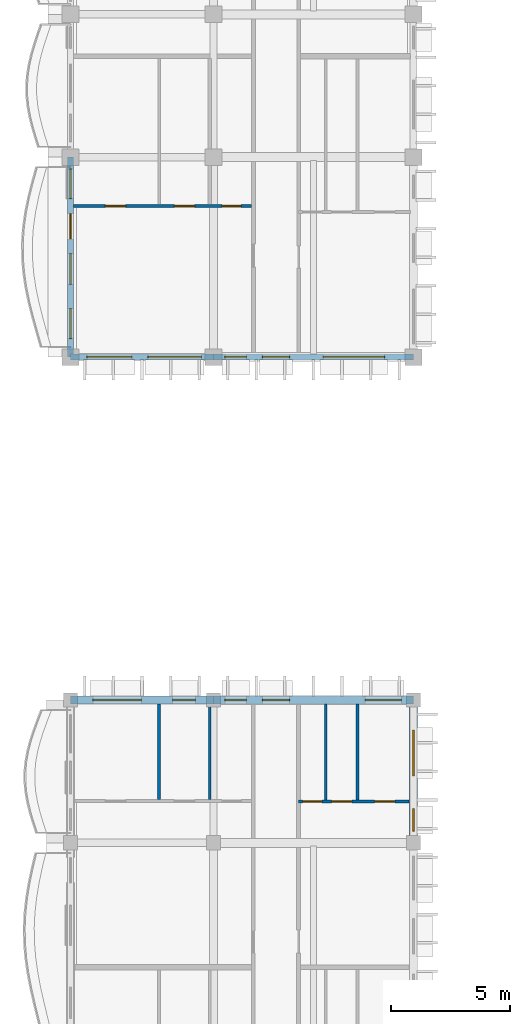
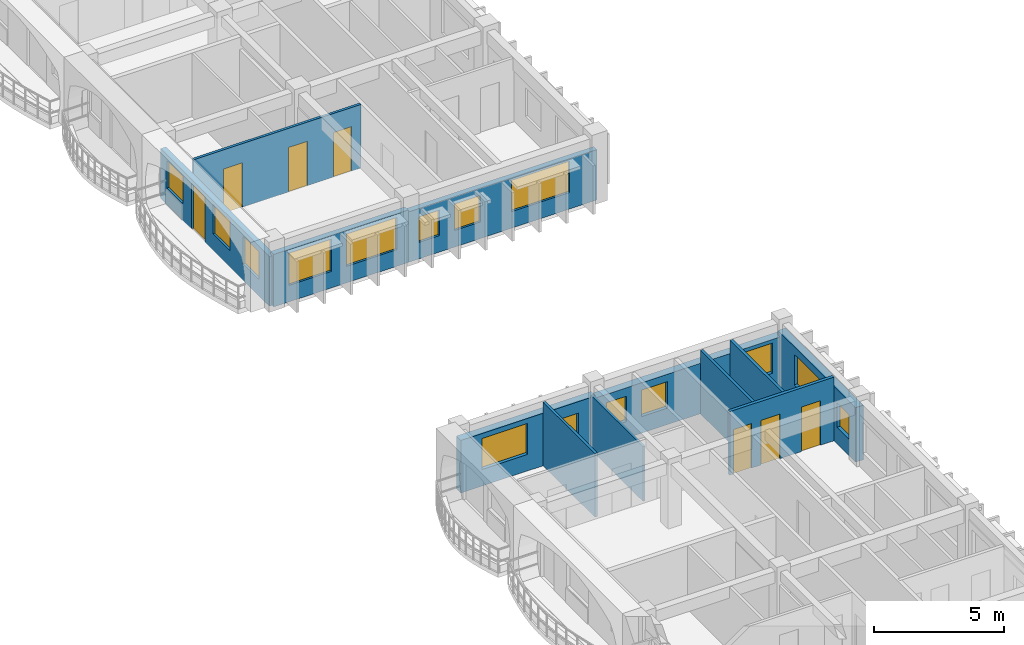
# One storey, part 47 of 101: 15 windows, 12 walls, 7 doors, 22 openings.
"""IFC4 building model written with IfcOpenShell, lengths in metres."""

from ifc_helpers import new_model, si_unit, direction, frame, frame_2d, origin, place, context, subcontext, project, spatial, rectangle, extrude, material, layer, layer_set, type_object, element, fill, save


model = new_model("IFC4")

# Units and contexts
model_context = context("Model", 3, precision=1e-05, world=origin(), true_north=direction((0.0, 1.0)))
body_context = subcontext(model_context, "Body", "Model", "MODEL_VIEW")
ifc_project = project(units=[si_unit("LENGTHUNIT", "METRE"), si_unit("AREAUNIT", "SQUARE_METRE"), si_unit("VOLUMEUNIT", "CUBIC_METRE"), si_unit("PLANEANGLEUNIT", "RADIAN"), si_unit("MASSUNIT", "GRAM", prefix="KILO"), si_unit("THERMODYNAMICTEMPERATUREUNIT", "KELVIN")], contexts=[model_context])

# Site, building, storey
site_placement = place(None, origin())
site = spatial("IfcSite", under=ifc_project, at=site_placement, CompositionType="ELEMENT")
building_placement = place(site_placement, origin())
building = spatial("IfcBuilding", under=site, at=building_placement, Name="Thalorik Housing Commons", CompositionType="ELEMENT")
storey_placement = place(building_placement, frame((0.0, 0.0, 8.10009765625)))
storey = spatial("IfcBuildingStorey", under=building, at=storey_placement, Name="L02", CompositionType="ELEMENT", Elevation=8.10009765625)

# Wall, openings, door, windows
ifc_material_1 = material(Name="White precast concrete C40/50", Category="concrete")
ifc_layer_1 = layer(ifc_material_1, 0.2451171875, Name="White precast concrete C40/50", Category="concrete")
ifc_layer_set_1 = layer_set([ifc_layer_1], Name="White precast concrete C40/50")
wall_type_1 = type_object("IfcWallType", Name="ARC-WAL-EXT-245", PredefinedType="STANDARD", material=ifc_layer_set_1)
wall_1_placement = place(storey_placement, frame((8.39990234375, 80.39990234375, 0.0), z_axis=(0.0, 0.0, 1.0), x_axis=(0.0, -1.0, 0.0)))
wall_1 = element("IfcWall", 1, at=wall_1_placement, inside=storey, type_object=wall_type_1, Name="L02 Exterior Wall WAL-EXT-L02-A-0077", PredefinedType="STANDARD", context=body_context, shape_type="SweptSolid", body=[
    extrude(rectangle(XDim=8.39990234375, YDim=0.2451171875, at=frame_2d((4.199951171875, 0.0))), origin(), (0.0, 0.0, 1.0), 2.344970703125),
])
opening_1_placement = place(wall_1_placement, frame((2.3798828125, 0.0, 0.0)))
opening_1 = element("IfcOpeningElement", 2, at=opening_1_placement, cuts=wall_1, Name="Opening ED-0019", PredefinedType="OPENING", context=body_context, shape_type="SweptSolid", body=[
    extrude(rectangle(XDim=1.050048828125, YDim=2.14990234375, at=frame_2d((0.52490234375, 1.074951171875))), frame((0.0, 0.132568359375, 0.0), z_axis=(0.0, -1.0, 0.0), x_axis=(1.0, 0.0, 0.0)), (0.0, 0.0, 1.0), 0.26513671875),
])
opening_2_placement = place(wall_1_placement, frame((0.4951171875, 0.0, 0.780029296875)))
opening_2 = element("IfcOpeningElement", 3, at=opening_2_placement, cuts=wall_1, Name="Opening W-46", PredefinedType="OPENING", context=body_context, shape_type="SweptSolid", body=[
    extrude(rectangle(XDim=1.25, YDim=1.300048828125, at=frame_2d((0.625, 0.64990234375))), frame((0.0, 0.132568359375, 0.0), z_axis=(0.0, -1.0, 0.0), x_axis=(1.0, 0.0, 0.0)), (0.0, 0.0, 1.0), 0.26513671875),
])
opening_3_placement = place(wall_1_placement, frame((4.047607421875, 0.0, 0.780029296875)))
opening_3 = element("IfcOpeningElement", 4, at=opening_3_placement, cuts=wall_1, Name="Opening W-06", PredefinedType="OPENING", context=body_context, shape_type="SweptSolid", body=[
    extrude(rectangle(XDim=1.300048828125, YDim=1.39990234375, at=frame_2d((0.64990234375, 0.699951171875))), frame((0.0, 0.132568359375, 0.0), z_axis=(0.0, -1.0, 0.0), x_axis=(1.0, 0.0, 0.0)), (0.0, 0.0, 1.0), 0.26513671875),
])
opening_4_placement = place(wall_1_placement, frame((6.367431640625, 0.0, 0.780029296875)))
opening_4 = element("IfcOpeningElement", 5, at=opening_4_placement, cuts=wall_1, Name="Opening W-46", PredefinedType="OPENING", context=body_context, shape_type="SweptSolid", body=[
    extrude(rectangle(XDim=1.25, YDim=1.300048828125, at=frame_2d((0.625, 0.64990234375))), frame((0.0, 0.132568359375, 0.0), z_axis=(0.0, -1.0, 0.0), x_axis=(1.0, 0.0, 0.0)), (0.0, 0.0, 1.0), 0.26513671875),
])
ifc_material_2 = material(Name="Anodised aluminium and laminated safety glass", Category="aluminium")
door_type_1 = type_object("IfcDoorType", Name="ARC-DR-BAL-1050", OperationType="NOTDEFINED", PredefinedType="DOOR", material=ifc_material_2)
door_1_placement = place(opening_1_placement, frame((1.050048828125, 0.0, 0.0), z_axis=(0.0, 0.0, 1.0), x_axis=(-1.0, 0.0, 0.0)))
door_1 = element("IfcDoor", 6, at=door_1_placement, inside=storey, type_object=door_type_1, Name="L02 Block A Balcony Glazed Door", OperationType="SINGLE_SWING_RIGHT", OverallHeight=2.14990234375, OverallWidth=1.050048828125, PredefinedType="DOOR", context=body_context, shape_type="SweptSolid", body=[
    extrude(rectangle(XDim=1.050048828125, YDim=2.14990234375, at=frame_2d((0.52490234375, 1.074951171875))), frame((0.0, 0.02490234375, 0.0), z_axis=(0.0, -1.0, 0.0), x_axis=(1.0, 0.0, 0.0)), (0.0, 0.0, 1.0), 0.050048828125),
])
fill(opening_1, door_1)
ifc_material_3 = material(Name="Anodised aluminium and solar-control low-E glass", Category="aluminium")
window_type_1 = type_object("IfcWindowType", Name="ARC-WIN-06", PartitioningType="SINGLE_PANEL", PredefinedType="WINDOW", material=ifc_material_3)
window_1_placement = place(opening_3_placement, origin())
window_1 = element("IfcWindow", 7, at=window_1_placement, inside=storey, type_object=window_type_1, Name="L02 Facade Window 134", OverallHeight=1.39990234375, OverallWidth=1.300048828125, PartitioningType="SINGLE_PANEL", PredefinedType="WINDOW", context=body_context, shape_type="SweptSolid", body=[
    extrude(rectangle(XDim=1.300048828125, YDim=1.39990234375, at=frame_2d((0.64990234375, 0.699951171875))), frame((0.0, 0.030029296875, 0.0), z_axis=(0.0, -1.0, 0.0), x_axis=(1.0, 0.0, 0.0)), (0.0, 0.0, 1.0), 0.06005859375),
])
fill(opening_3, window_1)
window_type_2 = type_object("IfcWindowType", Name="ARC-WIN-46", PartitioningType="SINGLE_PANEL", PredefinedType="WINDOW", material=ifc_material_3)
window_2_placement = place(opening_2_placement, origin())
window_2 = element("IfcWindow", 8, at=window_2_placement, inside=storey, type_object=window_type_2, Name="L02 Facade Window 133", OverallHeight=1.300048828125, OverallWidth=1.25, PartitioningType="SINGLE_PANEL", PredefinedType="WINDOW", context=body_context, shape_type="SweptSolid", body=[
    extrude(rectangle(XDim=1.25, YDim=1.300048828125, at=frame_2d((0.625, 0.64990234375))), frame((0.0, 0.030029296875, 0.0), z_axis=(0.0, -1.0, 0.0), x_axis=(1.0, 0.0, 0.0)), (0.0, 0.0, 1.0), 0.06005859375),
])
fill(opening_2, window_2)
window_3_placement = place(opening_4_placement, origin())
window_3 = element("IfcWindow", 9, at=window_3_placement, inside=storey, type_object=window_type_2, Name="L02 Facade Window 135", OverallHeight=1.300048828125, OverallWidth=1.25, PartitioningType="SINGLE_PANEL", PredefinedType="WINDOW", context=body_context, shape_type="SweptSolid", body=[
    extrude(rectangle(XDim=1.25, YDim=1.300048828125, at=frame_2d((0.625, 0.64990234375))), frame((0.0, 0.030029296875, 0.0), z_axis=(0.0, -1.0, 0.0), x_axis=(1.0, 0.0, 0.0)), (0.0, 0.0, 1.0), 0.06005859375),
])
fill(opening_4, window_3)

# Wall, openings, windows
wall_2_placement = place(storey_placement, frame((8.39990234375, 72.0, 0.0), z_axis=(0.0, 0.0, 1.0), x_axis=(1.0, 0.0, 0.0)))
wall_2 = element("IfcWall", 10, at=wall_2_placement, inside=storey, type_object=wall_type_1, Name="L02 Exterior Wall WAL-EXT-L02-A-0078", PredefinedType="STANDARD", context=body_context, shape_type="SweptSolid", body=[
    extrude(rectangle(XDim=6.0, YDim=0.2451171875, at=frame_2d((3.0, 0.0))), origin(), (0.0, 0.0, 1.0), 2.474853515625),
])
opening_5_placement = place(wall_2_placement, frame((0.68994140625, 0.0, 0.780029296875)))
opening_5 = element("IfcOpeningElement", 11, at=opening_5_placement, cuts=wall_2, Name="Opening W-59", PredefinedType="OPENING", context=body_context, shape_type="SweptSolid", body=[
    extrude(rectangle(XDim=1.8798828125, YDim=1.52001953125, at=frame_2d((0.93994140625, 0.760009765625))), frame((0.0, 0.132568359375, 0.0), z_axis=(0.0, -1.0, 0.0), x_axis=(1.0, 0.0, 0.0)), (0.0, 0.0, 1.0), 0.26513671875),
])
opening_6_placement = place(wall_2_placement, frame((3.25, 0.0, 0.780029296875)))
opening_6 = element("IfcOpeningElement", 12, at=opening_6_placement, cuts=wall_2, Name="Opening W-66", PredefinedType="OPENING", context=body_context, shape_type="SweptSolid", body=[
    extrude(rectangle(XDim=2.239990234375, YDim=1.52001953125, at=frame_2d((1.1201171875, 0.760009765625))), frame((0.0, 0.132568359375, 0.0), z_axis=(0.0, -1.0, 0.0), x_axis=(1.0, 0.0, 0.0)), (0.0, 0.0, 1.0), 0.26513671875),
])
window_type_3 = type_object("IfcWindowType", Name="ARC-WIN-59", PartitioningType="DOUBLE_PANEL_VERTICAL", PredefinedType="WINDOW", material=ifc_material_3)
window_4_placement = place(opening_5_placement, origin())
window_4 = element("IfcWindow", 13, at=window_4_placement, inside=storey, type_object=window_type_3, Name="L02 Facade Window 136", OverallHeight=1.52001953125, OverallWidth=1.8798828125, PartitioningType="DOUBLE_PANEL_VERTICAL", PredefinedType="WINDOW", context=body_context, shape_type="SweptSolid", body=[
    extrude(rectangle(XDim=1.8798828125, YDim=1.52001953125, at=frame_2d((0.93994140625, 0.760009765625))), frame((0.0, 0.030029296875, 0.0), z_axis=(0.0, -1.0, 0.0), x_axis=(1.0, 0.0, 0.0)), (0.0, 0.0, 1.0), 0.06005859375),
])
fill(opening_5, window_4)
window_type_4 = type_object("IfcWindowType", Name="ARC-WIN-66", PartitioningType="DOUBLE_PANEL_VERTICAL", PredefinedType="WINDOW", material=ifc_material_3)
window_5_placement = place(opening_6_placement, origin())
window_5 = element("IfcWindow", 14, at=window_5_placement, inside=storey, type_object=window_type_4, Name="L02 Facade Window 137", OverallHeight=1.52001953125, OverallWidth=2.239990234375, PartitioningType="DOUBLE_PANEL_VERTICAL", PredefinedType="WINDOW", context=body_context, shape_type="SweptSolid", body=[
    extrude(rectangle(XDim=2.239990234375, YDim=1.52001953125, at=frame_2d((1.1201171875, 0.760009765625))), frame((0.0, 0.030029296875, 0.0), z_axis=(0.0, -1.0, 0.0), x_axis=(1.0, 0.0, 0.0)), (0.0, 0.0, 1.0), 0.06005859375),
])
fill(opening_6, window_5)

wall_3_placement = place(storey_placement, frame((14.39990234375, 72.0, 0.0), z_axis=(0.0, 0.0, 1.0), x_axis=(1.0, 0.0, 0.0)))
wall_3 = element("IfcWall", 15, at=wall_3_placement, inside=storey, type_object=wall_type_1, Name="L02 Exterior Wall WAL-EXT-L02-A-0079", PredefinedType="STANDARD", context=body_context, shape_type="SweptSolid", body=[
    extrude(rectangle(XDim=8.400146484375, YDim=0.2451171875, at=frame_2d((4.2001953125, 0.0))), origin(), (0.0, 0.0, 1.0), 2.375),
])
opening_7_placement = place(wall_3_placement, frame((0.485107421875, 0.0, 0.780029296875)))
opening_7 = element("IfcOpeningElement", 16, at=opening_7_placement, cuts=wall_3, Name="Opening W-01", PredefinedType="OPENING", context=body_context, shape_type="SweptSolid", body=[
    extrude(rectangle(XDim=0.89990234375, YDim=1.199951171875, at=frame_2d((0.449951171875, 0.60009765625))), frame((0.0, 0.132568359375, 0.0), z_axis=(0.0, -1.0, 0.0), x_axis=(1.0, 0.0, 0.0)), (0.0, 0.0, 1.0), 0.26513671875),
])
opening_8_placement = place(wall_3_placement, frame((2.054931640625, 0.0, 0.780029296875)))
opening_8 = element("IfcOpeningElement", 17, at=opening_8_placement, cuts=wall_3, Name="Opening W-45", PredefinedType="OPENING", context=body_context, shape_type="SweptSolid", body=[
    extrude(rectangle(XDim=1.14990234375, YDim=1.25, at=frame_2d((0.574951171875, 0.625))), frame((0.0, 0.132568359375, 0.0), z_axis=(0.0, -1.0, 0.0), x_axis=(1.0, 0.0, 0.0)), (0.0, 0.0, 1.0), 0.26513671875),
])
opening_9_placement = place(wall_3_placement, frame((4.60498046875, 0.0, 0.780029296875)))
opening_9 = element("IfcOpeningElement", 18, at=opening_9_placement, cuts=wall_3, Name="Opening W-73", PredefinedType="OPENING", context=body_context, shape_type="SweptSolid", body=[
    extrude(rectangle(XDim=2.580078125, YDim=1.47998046875, at=frame_2d((1.2900390625, 0.739990234375))), frame((0.0, 0.132568359375, 0.0), z_axis=(0.0, -1.0, 0.0), x_axis=(1.0, 0.0, 0.0)), (0.0, 0.0, 1.0), 0.26513671875),
])
window_type_5 = type_object("IfcWindowType", Name="ARC-WIN-01", PartitioningType="SINGLE_PANEL", PredefinedType="WINDOW", material=ifc_material_3)
window_6_placement = place(opening_7_placement, origin())
window_6 = element("IfcWindow", 19, at=window_6_placement, inside=storey, type_object=window_type_5, Name="L02 Facade Window 138", OverallHeight=1.199951171875, OverallWidth=0.89990234375, PartitioningType="SINGLE_PANEL", PredefinedType="WINDOW", context=body_context, shape_type="SweptSolid", body=[
    extrude(rectangle(XDim=0.89990234375, YDim=1.199951171875, at=frame_2d((0.449951171875, 0.60009765625))), frame((0.0, 0.030029296875, 0.0), z_axis=(0.0, -1.0, 0.0), x_axis=(1.0, 0.0, 0.0)), (0.0, 0.0, 1.0), 0.06005859375),
])
fill(opening_7, window_6)
window_type_6 = type_object("IfcWindowType", Name="ARC-WIN-45", PartitioningType="SINGLE_PANEL", PredefinedType="WINDOW", material=ifc_material_3)
window_7_placement = place(opening_8_placement, origin())
window_7 = element("IfcWindow", 20, at=window_7_placement, inside=storey, type_object=window_type_6, Name="L02 Facade Window 139", OverallHeight=1.25, OverallWidth=1.14990234375, PartitioningType="SINGLE_PANEL", PredefinedType="WINDOW", context=body_context, shape_type="SweptSolid", body=[
    extrude(rectangle(XDim=1.14990234375, YDim=1.25, at=frame_2d((0.574951171875, 0.625))), frame((0.0, 0.030029296875, 0.0), z_axis=(0.0, -1.0, 0.0), x_axis=(1.0, 0.0, 0.0)), (0.0, 0.0, 1.0), 0.06005859375),
])
fill(opening_8, window_7)
window_type_7 = type_object("IfcWindowType", Name="ARC-WIN-73", PartitioningType="DOUBLE_PANEL_VERTICAL", PredefinedType="WINDOW", material=ifc_material_3)
window_8_placement = place(opening_9_placement, origin())
window_8 = element("IfcWindow", 21, at=window_8_placement, inside=storey, type_object=window_type_7, Name="L02 Facade Window 140", OverallHeight=1.47998046875, OverallWidth=2.580078125, PartitioningType="DOUBLE_PANEL_VERTICAL", PredefinedType="WINDOW", context=body_context, shape_type="SweptSolid", body=[
    extrude(rectangle(XDim=2.580078125, YDim=1.47998046875, at=frame_2d((1.2900390625, 0.739990234375))), frame((0.0, 0.030029296875, 0.0), z_axis=(0.0, -1.0, 0.0), x_axis=(1.0, 0.0, 0.0)), (0.0, 0.0, 1.0), 0.06005859375),
])
fill(opening_9, window_8)

ifc_layer_2 = layer(ifc_material_1, 0.35009765625, Name="White precast concrete C40/50", Category="concrete")
ifc_layer_set_2 = layer_set([ifc_layer_2], Name="White precast concrete C40/50")
wall_type_2 = type_object("IfcWallType", Name="ARC-WAL-EXT-350", PredefinedType="STANDARD", material=ifc_layer_set_2)
wall_4_placement = place(storey_placement, frame((22.800048828125, 51.60009765625, 0.0), z_axis=(0.0, 0.0, 1.0), x_axis=(0.0, 1.0, 0.0)))
wall_4 = element("IfcWall", 22, at=wall_4_placement, inside=storey, type_object=wall_type_2, Name="L02 Exterior Wall WAL-EXT-L02-C-0881", PredefinedType="STANDARD", context=body_context, shape_type="SweptSolid", body=[
    extrude(rectangle(XDim=6.0, YDim=0.35009765625, at=frame_2d((3.0, 0.0))), origin(), (0.0, 0.0, 1.0), 2.574951171875),
])
opening_10_placement = place(wall_4_placement, frame((0.48828125, 0.0, 0.780029296875)))
opening_10 = element("IfcOpeningElement", 23, at=opening_10_placement, cuts=wall_4, Name="Opening W-43", PredefinedType="OPENING", context=body_context, shape_type="SweptSolid", body=[
    extrude(rectangle(XDim=0.949951171875, YDim=1.14990234375, at=frame_2d((0.47509765625, 0.574951171875))), frame((0.0, 0.18505859375, 0.0), z_axis=(0.0, -1.0, 0.0), x_axis=(1.0, 0.0, 0.0)), (0.0, 0.0, 1.0), 0.3701171875),
])
opening_11_placement = place(wall_4_placement, frame((2.8134765625, 0.0, 0.780029296875)))
opening_11 = element("IfcOpeningElement", 24, at=opening_11_placement, cuts=wall_4, Name="Opening W-60", PredefinedType="OPENING", context=body_context, shape_type="SweptSolid", body=[
    extrude(rectangle(XDim=1.919921875, YDim=1.43994140625, at=frame_2d((0.9599609375, 0.719970703125))), frame((0.0, 0.18505859375, 0.0), z_axis=(0.0, -1.0, 0.0), x_axis=(1.0, 0.0, 0.0)), (0.0, 0.0, 1.0), 0.3701171875),
])
window_type_8 = type_object("IfcWindowType", Name="ARC-WIN-43", PartitioningType="SINGLE_PANEL", PredefinedType="WINDOW", material=ifc_material_3)
window_9_placement = place(opening_10_placement, origin())
window_9 = element("IfcWindow", 25, at=window_9_placement, inside=storey, type_object=window_type_8, Name="L02 Facade Window 1629", OverallHeight=1.14990234375, OverallWidth=0.949951171875, PartitioningType="SINGLE_PANEL", PredefinedType="WINDOW", context=body_context, shape_type="SweptSolid", body=[
    extrude(rectangle(XDim=0.949951171875, YDim=1.14990234375, at=frame_2d((0.47509765625, 0.574951171875))), frame((0.0, 0.030029296875, 0.0), z_axis=(0.0, -1.0, 0.0), x_axis=(1.0, 0.0, 0.0)), (0.0, 0.0, 1.0), 0.06005859375),
])
fill(opening_10, window_9)
window_type_9 = type_object("IfcWindowType", Name="ARC-WIN-60", PartitioningType="DOUBLE_PANEL_VERTICAL", PredefinedType="WINDOW", material=ifc_material_3)
window_10_placement = place(opening_11_placement, origin())
window_10 = element("IfcWindow", 26, at=window_10_placement, inside=storey, type_object=window_type_9, Name="L02 Facade Window 1630", OverallHeight=1.43994140625, OverallWidth=1.919921875, PartitioningType="DOUBLE_PANEL_VERTICAL", PredefinedType="WINDOW", context=body_context, shape_type="SweptSolid", body=[
    extrude(rectangle(XDim=1.919921875, YDim=1.43994140625, at=frame_2d((0.9599609375, 0.719970703125))), frame((0.0, 0.030029296875, 0.0), z_axis=(0.0, -1.0, 0.0), x_axis=(1.0, 0.0, 0.0)), (0.0, 0.0, 1.0), 0.06005859375),
])
fill(opening_11, window_10)

wall_5_placement = place(storey_placement, frame((22.800048828125, 57.60009765625, 0.0), z_axis=(0.0, 0.0, 1.0), x_axis=(-1.0, 0.0, 0.0)))
wall_5 = element("IfcWall", 27, at=wall_5_placement, inside=storey, type_object=wall_type_2, Name="L02 Exterior Wall WAL-EXT-L02-C-0882", PredefinedType="STANDARD", context=body_context, shape_type="SweptSolid", body=[
    extrude(rectangle(XDim=8.400146484375, YDim=0.35009765625, at=frame_2d((4.2001953125, 0.0))), origin(), (0.0, 0.0, 1.0), 2.375),
])
opening_12_placement = place(wall_5_placement, frame((0.50732421875, 0.0, 0.780029296875)))
opening_12 = element("IfcOpeningElement", 28, at=opening_12_placement, cuts=wall_5, Name="Opening W-52", PredefinedType="OPENING", context=body_context, shape_type="SweptSolid", body=[
    extrude(rectangle(XDim=1.52001953125, YDim=1.419921875, at=frame_2d((0.760009765625, 0.7099609375))), frame((0.0, 0.18505859375, 0.0), z_axis=(0.0, -1.0, 0.0), x_axis=(1.0, 0.0, 0.0)), (0.0, 0.0, 1.0), 0.3701171875),
])
opening_13_placement = place(wall_5_placement, frame((5.195068359375, 0.0, 0.780029296875)))
opening_13 = element("IfcOpeningElement", 29, at=opening_13_placement, cuts=wall_5, Name="Opening W-45", PredefinedType="OPENING", context=body_context, shape_type="SweptSolid", body=[
    extrude(rectangle(XDim=1.14990234375, YDim=1.25, at=frame_2d((0.574951171875, 0.625))), frame((0.0, 0.18505859375, 0.0), z_axis=(0.0, -1.0, 0.0), x_axis=(1.0, 0.0, 0.0)), (0.0, 0.0, 1.0), 0.3701171875),
])
opening_14_placement = place(wall_5_placement, frame((7.014892578125, 0.0, 0.780029296875)))
opening_14 = element("IfcOpeningElement", 30, at=opening_14_placement, cuts=wall_5, Name="Opening W-01", PredefinedType="OPENING", context=body_context, shape_type="SweptSolid", body=[
    extrude(rectangle(XDim=0.89990234375, YDim=1.199951171875, at=frame_2d((0.449951171875, 0.60009765625))), frame((0.0, 0.18505859375, 0.0), z_axis=(0.0, -1.0, 0.0), x_axis=(1.0, 0.0, 0.0)), (0.0, 0.0, 1.0), 0.3701171875),
])
window_11_placement = place(opening_14_placement, origin())
window_11 = element("IfcWindow", 31, at=window_11_placement, inside=storey, type_object=window_type_5, Name="L02 Facade Window 1633", OverallHeight=1.199951171875, OverallWidth=0.89990234375, PartitioningType="SINGLE_PANEL", PredefinedType="WINDOW", context=body_context, shape_type="SweptSolid", body=[
    extrude(rectangle(XDim=0.89990234375, YDim=1.199951171875, at=frame_2d((0.449951171875, 0.60009765625))), frame((0.0, 0.030029296875, 0.0), z_axis=(0.0, -1.0, 0.0), x_axis=(1.0, 0.0, 0.0)), (0.0, 0.0, 1.0), 0.06005859375),
])
fill(opening_14, window_11)
window_12_placement = place(opening_13_placement, origin())
window_12 = element("IfcWindow", 32, at=window_12_placement, inside=storey, type_object=window_type_6, Name="L02 Facade Window 1632", OverallHeight=1.25, OverallWidth=1.14990234375, PartitioningType="SINGLE_PANEL", PredefinedType="WINDOW", context=body_context, shape_type="SweptSolid", body=[
    extrude(rectangle(XDim=1.14990234375, YDim=1.25, at=frame_2d((0.574951171875, 0.625))), frame((0.0, 0.030029296875, 0.0), z_axis=(0.0, -1.0, 0.0), x_axis=(1.0, 0.0, 0.0)), (0.0, 0.0, 1.0), 0.06005859375),
])
fill(opening_13, window_12)
window_type_10 = type_object("IfcWindowType", Name="ARC-WIN-52", PartitioningType="SINGLE_PANEL", PredefinedType="WINDOW", material=ifc_material_3)
window_13_placement = place(opening_12_placement, origin())
window_13 = element("IfcWindow", 33, at=window_13_placement, inside=storey, type_object=window_type_10, Name="L02 Facade Window 1631", OverallHeight=1.419921875, OverallWidth=1.52001953125, PartitioningType="SINGLE_PANEL", PredefinedType="WINDOW", context=body_context, shape_type="SweptSolid", body=[
    extrude(rectangle(XDim=1.52001953125, YDim=1.419921875, at=frame_2d((0.760009765625, 0.7099609375))), frame((0.0, 0.030029296875, 0.0), z_axis=(0.0, -1.0, 0.0), x_axis=(1.0, 0.0, 0.0)), (0.0, 0.0, 1.0), 0.06005859375),
])
fill(opening_12, window_13)

wall_6_placement = place(storey_placement, frame((14.39990234375, 57.60009765625, 0.0), z_axis=(0.0, 0.0, 1.0), x_axis=(-1.0, 0.0, 0.0)))
wall_6 = element("IfcWall", 34, at=wall_6_placement, inside=storey, type_object=wall_type_2, Name="L02 Exterior Wall WAL-EXT-L02-C-0883", PredefinedType="STANDARD", context=body_context, shape_type="SweptSolid", body=[
    extrude(rectangle(XDim=6.0, YDim=0.35009765625, at=frame_2d((3.0, 0.0))), origin(), (0.0, 0.0, 1.0), 2.474853515625),
])
opening_15_placement = place(wall_6_placement, frame((0.76123046875, 0.0, 0.780029296875)))
opening_15 = element("IfcOpeningElement", 35, at=opening_15_placement, cuts=wall_6, Name="Opening W-43", PredefinedType="OPENING", context=body_context, shape_type="SweptSolid", body=[
    extrude(rectangle(XDim=0.949951171875, YDim=1.14990234375, at=frame_2d((0.47509765625, 0.574951171875))), frame((0.0, 0.18505859375, 0.0), z_axis=(0.0, -1.0, 0.0), x_axis=(1.0, 0.0, 0.0)), (0.0, 0.0, 1.0), 0.3701171875),
])
opening_16_placement = place(wall_6_placement, frame((3.026123046875, 0.0, 0.780029296875)))
opening_16 = element("IfcOpeningElement", 36, at=opening_16_placement, cuts=wall_6, Name="Opening W-62", PredefinedType="OPENING", context=body_context, shape_type="SweptSolid", body=[
    extrude(rectangle(XDim=2.0400390625, YDim=1.4599609375, at=frame_2d((1.02001953125, 0.72998046875))), frame((0.0, 0.18505859375, 0.0), z_axis=(0.0, -1.0, 0.0), x_axis=(1.0, 0.0, 0.0)), (0.0, 0.0, 1.0), 0.3701171875),
])
window_14_placement = place(opening_15_placement, origin())
window_14 = element("IfcWindow", 37, at=window_14_placement, inside=storey, type_object=window_type_8, Name="L02 Facade Window 1634", OverallHeight=1.14990234375, OverallWidth=0.949951171875, PartitioningType="SINGLE_PANEL", PredefinedType="WINDOW", context=body_context, shape_type="SweptSolid", body=[
    extrude(rectangle(XDim=0.949951171875, YDim=1.14990234375, at=frame_2d((0.47509765625, 0.574951171875))), frame((0.0, 0.030029296875, 0.0), z_axis=(0.0, -1.0, 0.0), x_axis=(1.0, 0.0, 0.0)), (0.0, 0.0, 1.0), 0.06005859375),
])
fill(opening_15, window_14)
window_type_11 = type_object("IfcWindowType", Name="ARC-WIN-62", PartitioningType="DOUBLE_PANEL_VERTICAL", PredefinedType="WINDOW", material=ifc_material_3)
window_15_placement = place(opening_16_placement, origin())
window_15 = element("IfcWindow", 38, at=window_15_placement, inside=storey, type_object=window_type_11, Name="L02 Facade Window 1635", OverallHeight=1.4599609375, OverallWidth=2.0400390625, PartitioningType="DOUBLE_PANEL_VERTICAL", PredefinedType="WINDOW", context=body_context, shape_type="SweptSolid", body=[
    extrude(rectangle(XDim=2.0400390625, YDim=1.4599609375, at=frame_2d((1.02001953125, 0.72998046875))), frame((0.0, 0.030029296875, 0.0), z_axis=(0.0, -1.0, 0.0), x_axis=(1.0, 0.0, 0.0)), (0.0, 0.0, 1.0), 0.06005859375),
])
fill(opening_16, window_15)

# Wall
ifc_material_4 = material(Name="Gypsum light stud partition", Category="masonry")
ifc_layer_3 = layer(ifc_material_4, 0.10009765625, Name="Gypsum light stud partition", Category="masonry")
ifc_layer_set_3 = layer_set([ifc_layer_3], Name="Gypsum light stud partition")
wall_type_3 = type_object("IfcWallType", Name="ARC-WAL-PART-100", PredefinedType="PARTITIONING", material=ifc_layer_set_3)
wall_7_placement = place(storey_placement, frame((14.251220703125, 53.424560546875, 0.0), z_axis=(0.0, 0.0, 1.0), x_axis=(0.0, 1.0, 0.0)))
element("IfcWall", 39, at=wall_7_placement, inside=storey, type_object=wall_type_3, Name="L02 Unit 3 Wet Wall", PredefinedType="PARTITIONING", context=body_context, shape_type="SweptSolid", body=[
    extrude(rectangle(XDim=3.99853515625, YDim=0.10009765625, at=frame_2d((1.999267578125, 0.0))), origin(), (0.0, 0.0, 1.0), 2.574951171875),
])

# Wall, openings, doors
ifc_material_5 = material(Name="Gypsum moisture-resistant partition", Category="masonry")
ifc_layer_4 = layer(ifc_material_5, 0.114990234375, Name="Gypsum moisture-resistant partition", Category="masonry")
ifc_layer_set_4 = layer_set([ifc_layer_4], Name="Gypsum moisture-resistant partition")
wall_type_4 = type_object("IfcWallType", Name="ARC-WAL-PART-115", PredefinedType="PARTITIONING", material=ifc_layer_set_4)
wall_8_placement = place(storey_placement, frame((8.5244140625, 78.35009765625, 0.0), z_axis=(0.0, 0.0, 1.0), x_axis=(1.0, 0.0, 0.0)))
wall_8 = element("IfcWall", 40, at=wall_8_placement, inside=storey, type_object=wall_type_4, Name="L02 Unit 1 Spine Partition", PredefinedType="PARTITIONING", context=body_context, shape_type="SweptSolid", body=[
    extrude(rectangle(XDim=7.47119140625, YDim=0.114990234375, at=frame_2d((3.735595703125, 0.0))), origin(), (0.0, 0.0, 1.0), 3.0),
])
opening_17_placement = place(wall_8_placement, frame((1.33935546875, 0.0, 0.0)))
opening_17 = element("IfcOpeningElement", 41, at=opening_17_placement, cuts=wall_8, Name="Opening ID-0477", PredefinedType="OPENING", context=body_context, shape_type="SweptSolid", body=[
    extrude(rectangle(XDim=0.85009765625, YDim=2.10009765625, at=frame_2d((0.425048828125, 1.050048828125))), frame((0.0, 0.0673828125, 0.0), z_axis=(0.0, -1.0, 0.0), x_axis=(1.0, 0.0, 0.0)), (0.0, 0.0, 1.0), 0.135009765625),
])
opening_18_placement = place(wall_8_placement, frame((4.23486328125, 0.0, 0.0)))
opening_18 = element("IfcOpeningElement", 42, at=opening_18_placement, cuts=wall_8, Name="Opening ID-0478", PredefinedType="OPENING", context=body_context, shape_type="SweptSolid", body=[
    extrude(rectangle(XDim=0.85009765625, YDim=2.10009765625, at=frame_2d((0.425048828125, 1.050048828125))), frame((0.0, 0.0673828125, 0.0), z_axis=(0.0, -1.0, 0.0), x_axis=(1.0, 0.0, 0.0)), (0.0, 0.0, 1.0), 0.135009765625),
])
opening_19_placement = place(wall_8_placement, frame((6.2412109375, 0.0, 0.0)))
opening_19 = element("IfcOpeningElement", 43, at=opening_19_placement, cuts=wall_8, Name="Opening ID-0479", PredefinedType="OPENING", context=body_context, shape_type="SweptSolid", body=[
    extrude(rectangle(XDim=0.800048828125, YDim=2.10009765625, at=frame_2d((0.39990234375, 1.050048828125))), frame((0.0, 0.0673828125, 0.0), z_axis=(0.0, -1.0, 0.0), x_axis=(1.0, 0.0, 0.0)), (0.0, 0.0, 1.0), 0.135009765625),
])
ifc_material_6 = material(Name="Moisture-resistant timber", Category="wood")
door_type_2 = type_object("IfcDoorType", Name="ARC-DR-INT-800", OperationType="NOTDEFINED", PredefinedType="DOOR", material=ifc_material_6)
door_2_placement = place(opening_19_placement, origin())
door_2 = element("IfcDoor", 44, at=door_2_placement, inside=storey, type_object=door_type_2, Name="L02 Flat Bathroom Door", OperationType="SINGLE_SWING_RIGHT", OverallHeight=2.10009765625, OverallWidth=0.800048828125, PredefinedType="DOOR", context=body_context, shape_type="SweptSolid", body=[
    extrude(rectangle(XDim=0.800048828125, YDim=2.10009765625, at=frame_2d((0.39990234375, 1.050048828125))), frame((0.0, 0.02490234375, 0.0), z_axis=(0.0, -1.0, 0.0), x_axis=(1.0, 0.0, 0.0)), (0.0, 0.0, 1.0), 0.050048828125),
])
fill(opening_19, door_2)
ifc_material_7 = material(Name="Engineered oak timber", Category="wood")
door_type_3 = type_object("IfcDoorType", Name="ARC-DR-INT-850", OperationType="NOTDEFINED", PredefinedType="DOOR", material=ifc_material_7)
door_3_placement = place(opening_17_placement, origin())
door_3 = element("IfcDoor", 45, at=door_3_placement, inside=storey, type_object=door_type_3, Name="L02 Double Bedroom Door", OperationType="SINGLE_SWING_RIGHT", OverallHeight=2.10009765625, OverallWidth=0.85009765625, PredefinedType="DOOR", context=body_context, shape_type="SweptSolid", body=[
    extrude(rectangle(XDim=0.85009765625, YDim=2.10009765625, at=frame_2d((0.425048828125, 1.050048828125))), frame((0.0, 0.02490234375, 0.0), z_axis=(0.0, -1.0, 0.0), x_axis=(1.0, 0.0, 0.0)), (0.0, 0.0, 1.0), 0.050048828125),
])
fill(opening_17, door_3)
door_4_placement = place(opening_18_placement, origin())
door_4 = element("IfcDoor", 46, at=door_4_placement, inside=storey, type_object=door_type_3, Name="L02 Galley Kitchen Door", OperationType="SINGLE_SWING_LEFT", OverallHeight=2.10009765625, OverallWidth=0.85009765625, PredefinedType="DOOR", context=body_context, shape_type="SweptSolid", body=[
    extrude(rectangle(XDim=0.85009765625, YDim=2.10009765625, at=frame_2d((0.425048828125, 1.050048828125))), frame((0.0, 0.02490234375, 0.0), z_axis=(0.0, -1.0, 0.0), x_axis=(1.0, 0.0, 0.0)), (0.0, 0.0, 1.0), 0.050048828125),
])
fill(opening_18, door_4)

# Walls
wall_9_placement = place(storey_placement, frame((12.11767578125, 53.424560546875, 0.0), z_axis=(0.0, 0.0, 1.0), x_axis=(0.0, 1.0, 0.0)))
element("IfcWall", 47, at=wall_9_placement, inside=storey, type_object=wall_type_4, Name="L02 Unit 3 Bedroom Partition", PredefinedType="PARTITIONING", context=body_context, shape_type="SweptSolid", body=[
    extrude(rectangle(XDim=3.99853515625, YDim=0.114990234375, at=frame_2d((1.999267578125, 0.0))), origin(), (0.0, 0.0, 1.0), 3.0),
])
wall_10_placement = place(storey_placement, frame((19.122314453125, 53.40869140625, 0.0), z_axis=(0.0, 0.0, 1.0), x_axis=(0.0, 1.0, 0.0)))
element("IfcWall", 48, at=wall_10_placement, inside=storey, type_object=wall_type_4, Name="L02 Unit 3B Wet Wall", PredefinedType="PARTITIONING", context=body_context, shape_type="SweptSolid", body=[
    extrude(rectangle(XDim=4.014404296875, YDim=0.114990234375, at=frame_2d((2.00732421875, 0.0))), origin(), (0.0, 0.0, 1.0), 3.0),
])
ifc_material_8 = material(Name="Gypsum acoustic stud partition", Category="masonry")
ifc_layer_5 = layer(ifc_material_8, 0.125, Name="Gypsum acoustic stud partition", Category="masonry")
ifc_layer_set_5 = layer_set([ifc_layer_5], Name="Gypsum acoustic stud partition")
wall_type_5 = type_object("IfcWallType", Name="ARC-WAL-PART-125", PredefinedType="PARTITIONING", material=ifc_layer_set_5)
wall_11_placement = place(storey_placement, frame((20.455078125, 53.40869140625, 0.0), z_axis=(0.0, 0.0, 1.0), x_axis=(0.0, 1.0, 0.0)))
element("IfcWall", 49, at=wall_11_placement, inside=storey, type_object=wall_type_5, Name="L02 Unit 3B Bedroom Partition", PredefinedType="PARTITIONING", context=body_context, shape_type="SweptSolid", body=[
    extrude(rectangle(XDim=4.014404296875, YDim=0.125, at=frame_2d((2.00732421875, 0.0))), origin(), (0.0, 0.0, 1.0), 3.0),
])

# Wall, openings, doors
ifc_material_9 = material(Name="Ceramic masonry partition wall", Category="masonry")
ifc_layer_6 = layer(ifc_material_9, 0.139892578125, Name="Ceramic masonry partition wall", Category="masonry")
ifc_layer_set_6 = layer_set([ifc_layer_6], Name="Ceramic masonry partition wall")
wall_type_6 = type_object("IfcWallType", Name="ARC-WAL-PART-140", PredefinedType="PARTITIONING", material=ifc_layer_set_6)
wall_12_placement = place(storey_placement, frame((17.97998046875, 53.3369140625, 0.0), z_axis=(0.0, 0.0, 1.0), x_axis=(1.0, 0.0, 0.0)))
wall_12 = element("IfcWall", 50, at=wall_12_placement, inside=storey, type_object=wall_type_6, Name="L02 Unit 3B Spine Partition", PredefinedType="PARTITIONING", context=body_context, shape_type="SweptSolid", body=[
    extrude(rectangle(XDim=4.64306640625, YDim=0.139892578125, at=frame_2d((2.321533203125, 0.0))), origin(), (0.0, 0.0, 1.0), 3.0),
])
opening_20_placement = place(wall_12_placement, frame((0.171142578125, 0.0, 0.0)))
opening_20 = element("IfcOpeningElement", 51, at=opening_20_placement, cuts=wall_12, Name="Opening ID-1617", PredefinedType="OPENING", context=body_context, shape_type="SweptSolid", body=[
    extrude(rectangle(XDim=0.800048828125, YDim=2.10009765625, at=frame_2d((0.39990234375, 1.050048828125))), frame((0.0, 0.080078125, 0.0), z_axis=(0.0, -1.0, 0.0), x_axis=(1.0, 0.0, 0.0)), (0.0, 0.0, 1.0), 0.159912109375),
])
opening_21_placement = place(wall_12_placement, frame((1.3837890625, 0.0, 0.0)))
opening_21 = element("IfcOpeningElement", 52, at=opening_21_placement, cuts=wall_12, Name="Opening ID-1618", PredefinedType="OPENING", context=body_context, shape_type="SweptSolid", body=[
    extrude(rectangle(XDim=0.85009765625, YDim=2.10009765625, at=frame_2d((0.425048828125, 1.050048828125))), frame((0.0, 0.080078125, 0.0), z_axis=(0.0, -1.0, 0.0), x_axis=(1.0, 0.0, 0.0)), (0.0, 0.0, 1.0), 0.159912109375),
])
opening_22_placement = place(wall_12_placement, frame((3.192626953125, 0.0, 0.0)))
opening_22 = element("IfcOpeningElement", 53, at=opening_22_placement, cuts=wall_12, Name="Opening ID-1619", PredefinedType="OPENING", context=body_context, shape_type="SweptSolid", body=[
    extrude(rectangle(XDim=0.85009765625, YDim=2.10009765625, at=frame_2d((0.425048828125, 1.050048828125))), frame((0.0, 0.080078125, 0.0), z_axis=(0.0, -1.0, 0.0), x_axis=(1.0, 0.0, 0.0)), (0.0, 0.0, 1.0), 0.159912109375),
])
door_5_placement = place(opening_20_placement, origin())
door_5 = element("IfcDoor", 54, at=door_5_placement, inside=storey, type_object=door_type_2, Name="L02 Accessible Bathroom Door", OperationType="SINGLE_SWING_RIGHT", OverallHeight=2.10009765625, OverallWidth=0.800048828125, PredefinedType="DOOR", context=body_context, shape_type="SweptSolid", body=[
    extrude(rectangle(XDim=0.800048828125, YDim=2.10009765625, at=frame_2d((0.39990234375, 1.050048828125))), frame((0.0, 0.02490234375, 0.0), z_axis=(0.0, -1.0, 0.0), x_axis=(1.0, 0.0, 0.0)), (0.0, 0.0, 1.0), 0.050048828125),
])
fill(opening_20, door_5)
door_6_placement = place(opening_21_placement, origin())
door_6 = element("IfcDoor", 55, at=door_6_placement, inside=storey, type_object=door_type_3, Name="L02 Galley Kitchen Door", OperationType="SINGLE_SWING_LEFT", OverallHeight=2.10009765625, OverallWidth=0.85009765625, PredefinedType="DOOR", context=body_context, shape_type="SweptSolid", body=[
    extrude(rectangle(XDim=0.85009765625, YDim=2.10009765625, at=frame_2d((0.425048828125, 1.050048828125))), frame((0.0, 0.02490234375, 0.0), z_axis=(0.0, -1.0, 0.0), x_axis=(1.0, 0.0, 0.0)), (0.0, 0.0, 1.0), 0.050048828125),
])
fill(opening_21, door_6)
door_7_placement = place(opening_22_placement, origin())
door_7 = element("IfcDoor", 56, at=door_7_placement, inside=storey, type_object=door_type_3, Name="L02 Double Bedroom Door", OperationType="SINGLE_SWING_RIGHT", OverallHeight=2.10009765625, OverallWidth=0.85009765625, PredefinedType="DOOR", context=body_context, shape_type="SweptSolid", body=[
    extrude(rectangle(XDim=0.85009765625, YDim=2.10009765625, at=frame_2d((0.425048828125, 1.050048828125))), frame((0.0, 0.02490234375, 0.0), z_axis=(0.0, -1.0, 0.0), x_axis=(1.0, 0.0, 0.0)), (0.0, 0.0, 1.0), 0.050048828125),
])
fill(opening_22, door_7)

save(model, "model.ifc")
